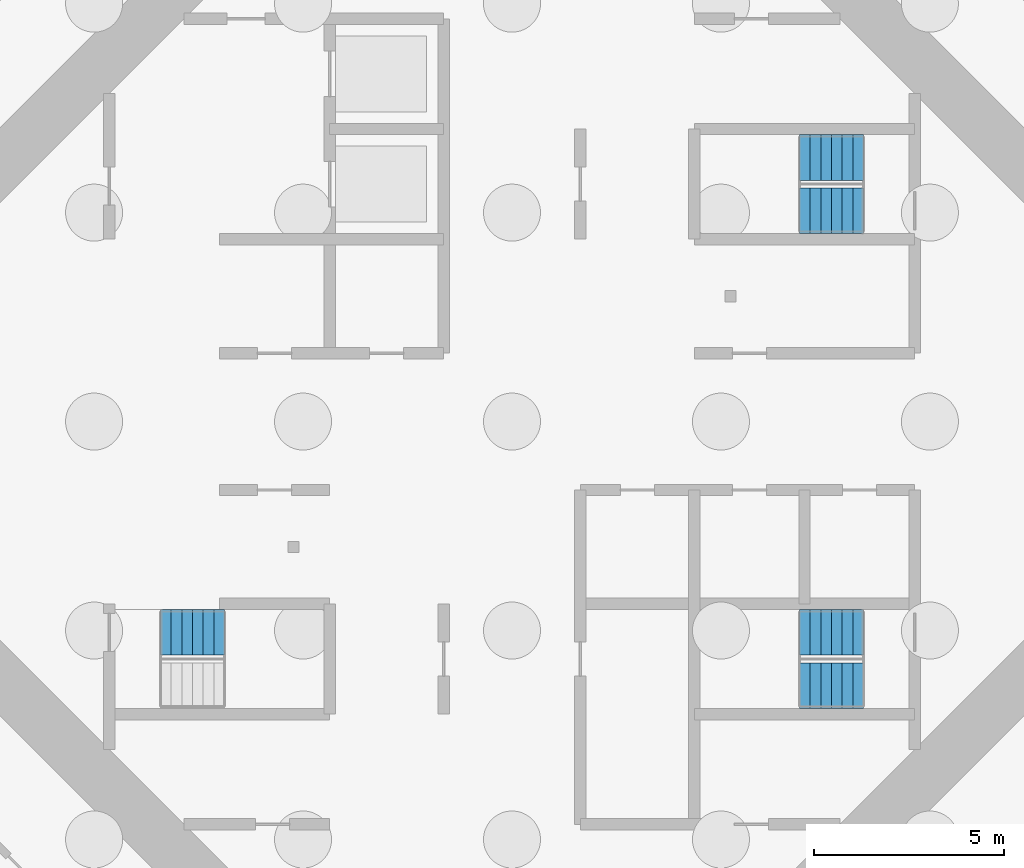
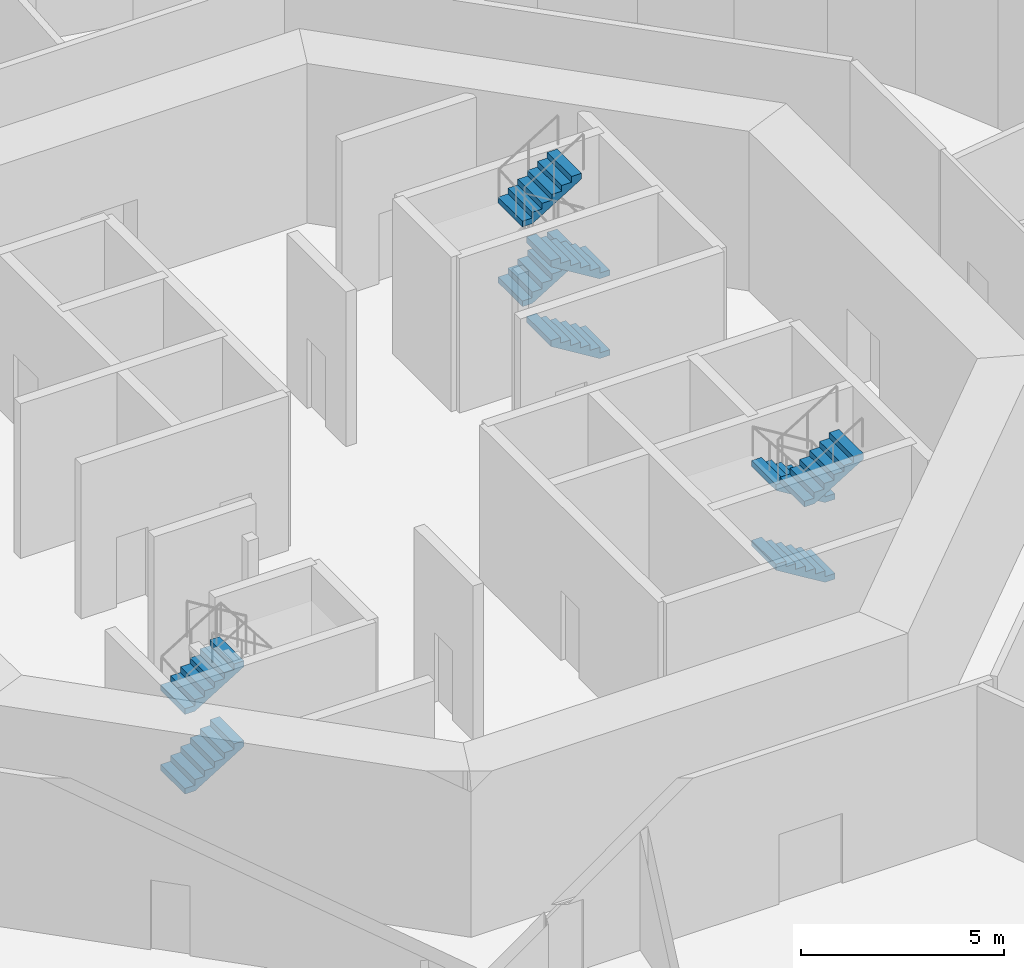
# One storey, part 6 of 8: 9 stair flights, 3 elements without a shape of their own.
"""IFC4 building model written with IfcOpenShell, lengths in metres."""

from ifc_helpers import new_model, si_unit, direction, frame, origin, place, context, subcontext, project, spatial, polyline, outline, extrude, material, type_object, element, aggregate, save


model = new_model("IFC4")

# Units and contexts
model_context = context("Model", 3, precision=1e-05, world=origin(), true_north=direction((0.0, 1.0)))
body_context = subcontext(model_context, "Body", "Model", "MODEL_VIEW")
ifc_project = project(units=[si_unit("LENGTHUNIT", "METRE"), si_unit("AREAUNIT", "SQUARE_METRE"), si_unit("VOLUMEUNIT", "CUBIC_METRE"), si_unit("PLANEANGLEUNIT", "RADIAN"), si_unit("MASSUNIT", "GRAM", prefix="KILO")], contexts=[model_context])

# Site, building, storey
site_placement = place(None, origin())
site = spatial("IfcSite", under=ifc_project, at=site_placement, CompositionType="ELEMENT")
building_placement = place(site_placement, origin())
building = spatial("IfcBuilding", under=site, at=building_placement, Name="Entoto Ring Tower", CompositionType="ELEMENT")
storey_placement = place(building_placement, frame((0.0, 0.0, -9.60009765625)))
storey = spatial("IfcBuildingStorey", under=building, at=storey_placement, Name="B2", CompositionType="ELEMENT", Elevation=-9.60009765625)

# Stair, stair flights
ifc_material_1 = material(Name="Concrete C40/50", Category="concrete")
stair_type = type_object("IfcStairType", Name="Exit stair 1200 mm dog-leg reinforced concrete", PredefinedType="HALF_TURN_STAIR", material=ifc_material_1)
stair_1_placement = place(storey_placement, origin())
stair_1 = element("IfcStair", 1, at=stair_1_placement, inside=storey, type_object=stair_type, Name="Exit stair 1", PredefinedType="HALF_TURN_STAIR")
ifc_material_2 = material(Name="Concrete C40/50", Category="concrete")
stair_flight_type = type_object("IfcStairFlightType", Name="Stair flight 1200 mm reinforced concrete", PredefinedType="STRAIGHT", material=ifc_material_2)
stair_flight_1_placement = place(storey_placement, frame((99.25, 85.550048828125, 0.0), z_axis=(0.0, 0.0, 1.0), x_axis=(-1.0, 0.0, 0.0)))
stair_flight_1 = element("IfcStairFlight", 2, at=stair_flight_1_placement, type_object=stair_flight_type, Name="ST1 flight 1", NumberOfRisers=7, NumberOfTreads=6, PredefinedType="STRAIGHT", RiserHeight=0.171428571, TreadLength=0.28, context=body_context, shape_type="SweptSolid", body=[
    extrude(outline(polyline([(0.0, 0.0), (0.0, 0.05712890625), (0.0, 0.1142578125), (0.0, 0.17138671875), (0.280029296875, 0.17138671875), (0.280029296875, 0.3427734375), (0.56005859375, 0.3427734375), (0.56005859375, 0.514404296875), (0.840087890625, 0.514404296875), (0.840087890625, 0.685791015625), (1.1201171875, 0.685791015625), (1.1201171875, 0.857177734375), (1.39990234375, 0.857177734375), (1.39990234375, 1.028564453125), (1.679931640625, 1.028564453125), (1.679931640625, 1.199951171875), (1.679931640625, 1.084228515625), (1.679931640625, 0.968505859375), (1.679931640625, 0.852783203125), (0.287109375, 0.0), (0.0, 0.0)])), frame((0.0, 0.60009765625, 0.0), z_axis=(0.0, -1.0, 0.0), x_axis=(1.0, 0.0, 0.0)), (0.0, 0.0, 1.0), 1.199951171875),
])
stair_flight_2_placement = place(storey_placement, frame((97.570068359375, 86.949951171875, 1.2001953125), z_axis=(0.0, 0.0, 1.0), x_axis=(1.0, 0.0, 0.0)))
stair_flight_2 = element("IfcStairFlight", 3, at=stair_flight_2_placement, type_object=stair_flight_type, Name="ST1 flight 2", NumberOfRisers=7, NumberOfTreads=6, PredefinedType="STRAIGHT", RiserHeight=0.171428571, TreadLength=0.28, context=body_context, shape_type="SweptSolid", body=[
    extrude(outline(polyline([(0.0, 0.0), (0.0, 0.05712890625), (0.0, 0.1142578125), (0.0, 0.17138671875), (0.280029296875, 0.17138671875), (0.280029296875, 0.3427734375), (0.56005859375, 0.3427734375), (0.56005859375, 0.514404296875), (0.840087890625, 0.514404296875), (0.840087890625, 0.685791015625), (1.1201171875, 0.685791015625), (1.1201171875, 0.857177734375), (1.39990234375, 0.857177734375), (1.39990234375, 1.028564453125), (1.679931640625, 1.028564453125), (1.679931640625, 1.199951171875), (1.679931640625, 1.084228515625), (1.679931640625, 0.968505859375), (1.679931640625, 0.852783203125), (0.287109375, 0.0), (0.0, 0.0)])), frame((0.0, 0.60009765625, 0.0), z_axis=(0.0, -1.0, 0.0), x_axis=(1.0, 0.0, 0.0)), (0.0, 0.0, 1.0), 1.199951171875),
])
stair_flight_3_placement = place(storey_placement, frame((99.25, 85.550048828125, 2.400146484375), z_axis=(0.0, 0.0, 1.0), x_axis=(-1.0, 0.0, 0.0)))
stair_flight_3 = element("IfcStairFlight", 4, at=stair_flight_3_placement, type_object=stair_flight_type, Name="ST1 flight 3", NumberOfRisers=7, NumberOfTreads=6, PredefinedType="STRAIGHT", RiserHeight=0.171428571, TreadLength=0.28, context=body_context, shape_type="SweptSolid", body=[
    extrude(outline(polyline([(0.0, 0.0), (0.0, 0.05712890625), (0.0, 0.1142578125), (0.0, 0.17138671875), (0.280029296875, 0.17138671875), (0.280029296875, 0.3427734375), (0.56005859375, 0.3427734375), (0.56005859375, 0.514404296875), (0.840087890625, 0.514404296875), (0.840087890625, 0.685791015625), (1.1201171875, 0.685791015625), (1.1201171875, 0.857177734375), (1.39990234375, 0.857177734375), (1.39990234375, 1.028564453125), (1.679931640625, 1.028564453125), (1.679931640625, 1.199951171875), (1.679931640625, 1.084228515625), (1.679931640625, 0.968505859375), (1.679931640625, 0.852783203125), (0.287109375, 0.0), (0.0, 0.0)])), frame((0.0, 0.60009765625, 0.0), z_axis=(0.0, -1.0, 0.0), x_axis=(1.0, 0.0, 0.0)), (0.0, 0.0, 1.0), 1.199951171875),
])
stair_flight_4_placement = place(storey_placement, frame((97.570068359375, 86.949951171875, 3.60009765625), z_axis=(0.0, 0.0, 1.0), x_axis=(1.0, 0.0, 0.0)))
stair_flight_4 = element("IfcStairFlight", 5, at=stair_flight_4_placement, type_object=stair_flight_type, Name="ST1 flight 4", NumberOfRisers=7, NumberOfTreads=6, PredefinedType="STRAIGHT", RiserHeight=0.171428571, TreadLength=0.28, context=body_context, shape_type="SweptSolid", body=[
    extrude(outline(polyline([(0.0, 0.0), (0.0, 0.05712890625), (0.0, 0.1142578125), (0.0, 0.17138671875), (0.280029296875, 0.17138671875), (0.280029296875, 0.3427734375), (0.56005859375, 0.3427734375), (0.56005859375, 0.514404296875), (0.840087890625, 0.514404296875), (0.840087890625, 0.685791015625), (1.1201171875, 0.685791015625), (1.1201171875, 0.857177734375), (1.39990234375, 0.857177734375), (1.39990234375, 1.028564453125), (1.679931640625, 1.028564453125), (1.679931640625, 1.199951171875), (1.679931640625, 1.084228515625), (1.679931640625, 0.968505859375), (1.679931640625, 0.852783203125), (0.287109375, 0.0), (0.0, 0.0)])), frame((0.0, 0.60009765625, 0.0), z_axis=(0.0, -1.0, 0.0), x_axis=(1.0, 0.0, 0.0)), (0.0, 0.0, 1.0), 1.199951171875),
])
aggregate(stair_1, [stair_flight_1, stair_flight_2, stair_flight_3, stair_flight_4])

stair_2_placement = place(storey_placement, origin())
stair_2 = element("IfcStair", 6, at=stair_2_placement, inside=storey, type_object=stair_type, Name="Exit stair 2", PredefinedType="HALF_TURN_STAIR")
stair_flight_5_placement = place(storey_placement, frame((80.75, 74.449951171875, 0.0), z_axis=(0.0, 0.0, 1.0), x_axis=(1.0, 0.0, 0.0)))
stair_flight_5 = element("IfcStairFlight", 7, at=stair_flight_5_placement, type_object=stair_flight_type, Name="ST2 flight 1", NumberOfRisers=7, NumberOfTreads=6, PredefinedType="STRAIGHT", RiserHeight=0.171428571, TreadLength=0.28, context=body_context, shape_type="SweptSolid", body=[
    extrude(outline(polyline([(0.0, 0.0), (0.0, 0.05712890625), (0.0, 0.1142578125), (0.0, 0.17138671875), (0.280029296875, 0.17138671875), (0.280029296875, 0.3427734375), (0.56005859375, 0.3427734375), (0.56005859375, 0.514404296875), (0.840087890625, 0.514404296875), (0.840087890625, 0.685791015625), (1.1201171875, 0.685791015625), (1.1201171875, 0.857177734375), (1.39990234375, 0.857177734375), (1.39990234375, 1.028564453125), (1.679931640625, 1.028564453125), (1.679931640625, 1.199951171875), (1.679931640625, 1.084228515625), (1.679931640625, 0.968505859375), (1.679931640625, 0.852783203125), (0.287109375, 0.0), (0.0, 0.0)])), frame((0.0, 0.60009765625, 0.0), z_axis=(0.0, -1.0, 0.0), x_axis=(1.0, 0.0, 0.0)), (0.0, 0.0, 1.0), 1.199951171875),
])
stair_flight_6_placement = place(storey_placement, frame((80.75, 74.449951171875, 2.400146484375), z_axis=(0.0, 0.0, 1.0), x_axis=(1.0, 0.0, 0.0)))
stair_flight_6 = element("IfcStairFlight", 8, at=stair_flight_6_placement, type_object=stair_flight_type, Name="ST2 flight 3", NumberOfRisers=7, NumberOfTreads=6, PredefinedType="STRAIGHT", RiserHeight=0.171428571, TreadLength=0.28, context=body_context, shape_type="SweptSolid", body=[
    extrude(outline(polyline([(0.0, 0.0), (0.0, 0.05712890625), (0.0, 0.1142578125), (0.0, 0.17138671875), (0.280029296875, 0.17138671875), (0.280029296875, 0.3427734375), (0.56005859375, 0.3427734375), (0.56005859375, 0.514404296875), (0.840087890625, 0.514404296875), (0.840087890625, 0.685791015625), (1.1201171875, 0.685791015625), (1.1201171875, 0.857177734375), (1.39990234375, 0.857177734375), (1.39990234375, 1.028564453125), (1.679931640625, 1.028564453125), (1.679931640625, 1.199951171875), (1.679931640625, 1.084228515625), (1.679931640625, 0.968505859375), (1.679931640625, 0.852783203125), (0.287109375, 0.0), (0.0, 0.0)])), frame((0.0, 0.60009765625, 0.0), z_axis=(0.0, -1.0, 0.0), x_axis=(1.0, 0.0, 0.0)), (0.0, 0.0, 1.0), 1.199951171875),
])
aggregate(stair_2, [stair_flight_5, stair_flight_6])

stair_3_placement = place(storey_placement, origin())
stair_3 = element("IfcStair", 9, at=stair_3_placement, inside=storey, type_object=stair_type, Name="Exit stair 3", PredefinedType="HALF_TURN_STAIR")
stair_flight_7_placement = place(storey_placement, frame((99.25, 74.449951171875, 0.0), z_axis=(0.0, 0.0, 1.0), x_axis=(-1.0, 0.0, 0.0)))
stair_flight_7 = element("IfcStairFlight", 10, at=stair_flight_7_placement, type_object=stair_flight_type, Name="ST3 flight 1", NumberOfRisers=7, NumberOfTreads=6, PredefinedType="STRAIGHT", RiserHeight=0.171428571, TreadLength=0.28, context=body_context, shape_type="SweptSolid", body=[
    extrude(outline(polyline([(0.0, 0.0), (0.0, 0.05712890625), (0.0, 0.1142578125), (0.0, 0.17138671875), (0.280029296875, 0.17138671875), (0.280029296875, 0.3427734375), (0.56005859375, 0.3427734375), (0.56005859375, 0.514404296875), (0.840087890625, 0.514404296875), (0.840087890625, 0.685791015625), (1.1201171875, 0.685791015625), (1.1201171875, 0.857177734375), (1.39990234375, 0.857177734375), (1.39990234375, 1.028564453125), (1.679931640625, 1.028564453125), (1.679931640625, 1.199951171875), (1.679931640625, 1.084228515625), (1.679931640625, 0.968505859375), (1.679931640625, 0.852783203125), (0.287109375, 0.0), (0.0, 0.0)])), frame((0.0, 0.60009765625, 0.0), z_axis=(0.0, -1.0, 0.0), x_axis=(1.0, 0.0, 0.0)), (0.0, 0.0, 1.0), 1.199951171875),
])
stair_flight_8_placement = place(storey_placement, frame((99.25, 74.449951171875, 2.400146484375), z_axis=(0.0, 0.0, 1.0), x_axis=(-1.0, 0.0, 0.0)))
stair_flight_8 = element("IfcStairFlight", 11, at=stair_flight_8_placement, type_object=stair_flight_type, Name="ST3 flight 3", NumberOfRisers=7, NumberOfTreads=6, PredefinedType="STRAIGHT", RiserHeight=0.171428571, TreadLength=0.28, context=body_context, shape_type="SweptSolid", body=[
    extrude(outline(polyline([(0.0, 0.0), (0.0, 0.05712890625), (0.0, 0.1142578125), (0.0, 0.17138671875), (0.280029296875, 0.17138671875), (0.280029296875, 0.3427734375), (0.56005859375, 0.3427734375), (0.56005859375, 0.514404296875), (0.840087890625, 0.514404296875), (0.840087890625, 0.685791015625), (1.1201171875, 0.685791015625), (1.1201171875, 0.857177734375), (1.39990234375, 0.857177734375), (1.39990234375, 1.028564453125), (1.679931640625, 1.028564453125), (1.679931640625, 1.199951171875), (1.679931640625, 1.084228515625), (1.679931640625, 0.968505859375), (1.679931640625, 0.852783203125), (0.287109375, 0.0), (0.0, 0.0)])), frame((0.0, 0.60009765625, 0.0), z_axis=(0.0, -1.0, 0.0), x_axis=(1.0, 0.0, 0.0)), (0.0, 0.0, 1.0), 1.199951171875),
])
stair_flight_9_placement = place(storey_placement, frame((97.570068359375, 73.050048828125, 3.60009765625), z_axis=(0.0, 0.0, 1.0), x_axis=(1.0, 0.0, 0.0)))
stair_flight_9 = element("IfcStairFlight", 12, at=stair_flight_9_placement, type_object=stair_flight_type, Name="ST3 flight 4", NumberOfRisers=7, NumberOfTreads=6, PredefinedType="STRAIGHT", RiserHeight=0.171428571, TreadLength=0.28, context=body_context, shape_type="SweptSolid", body=[
    extrude(outline(polyline([(0.0, 0.0), (0.0, 0.05712890625), (0.0, 0.1142578125), (0.0, 0.17138671875), (0.280029296875, 0.17138671875), (0.280029296875, 0.3427734375), (0.56005859375, 0.3427734375), (0.56005859375, 0.514404296875), (0.840087890625, 0.514404296875), (0.840087890625, 0.685791015625), (1.1201171875, 0.685791015625), (1.1201171875, 0.857177734375), (1.39990234375, 0.857177734375), (1.39990234375, 1.028564453125), (1.679931640625, 1.028564453125), (1.679931640625, 1.199951171875), (1.679931640625, 1.084228515625), (1.679931640625, 0.968505859375), (1.679931640625, 0.852783203125), (0.287109375, 0.0), (0.0, 0.0)])), frame((0.0, 0.60009765625, 0.0), z_axis=(0.0, -1.0, 0.0), x_axis=(1.0, 0.0, 0.0)), (0.0, 0.0, 1.0), 1.199951171875),
])
aggregate(stair_3, [stair_flight_7, stair_flight_8, stair_flight_9])

save(model, "model.ifc")
